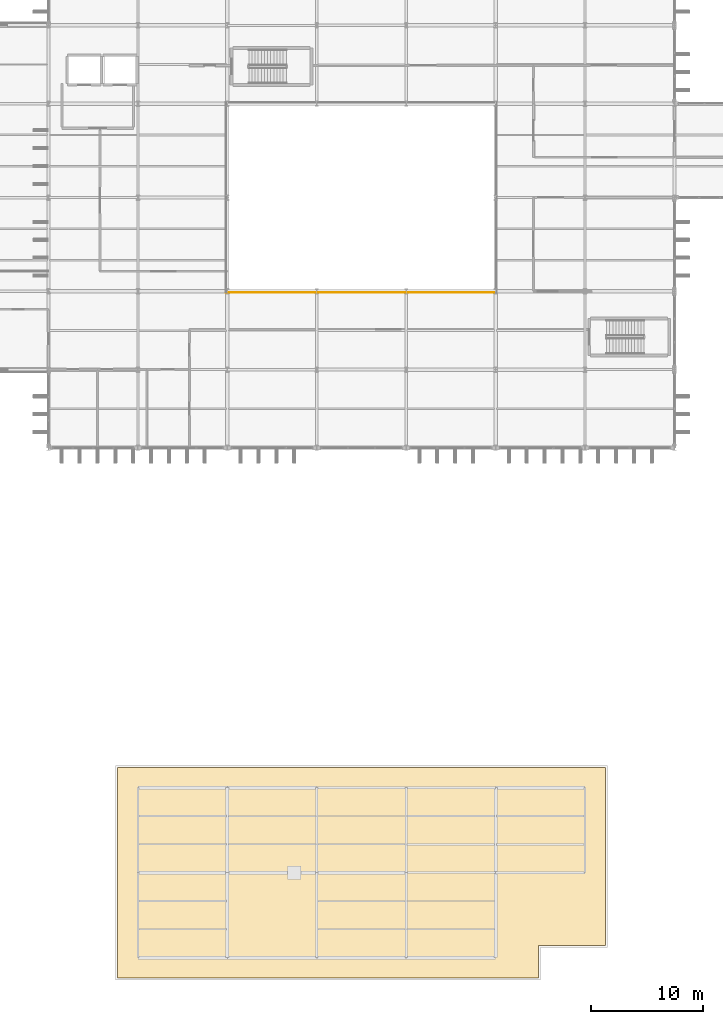
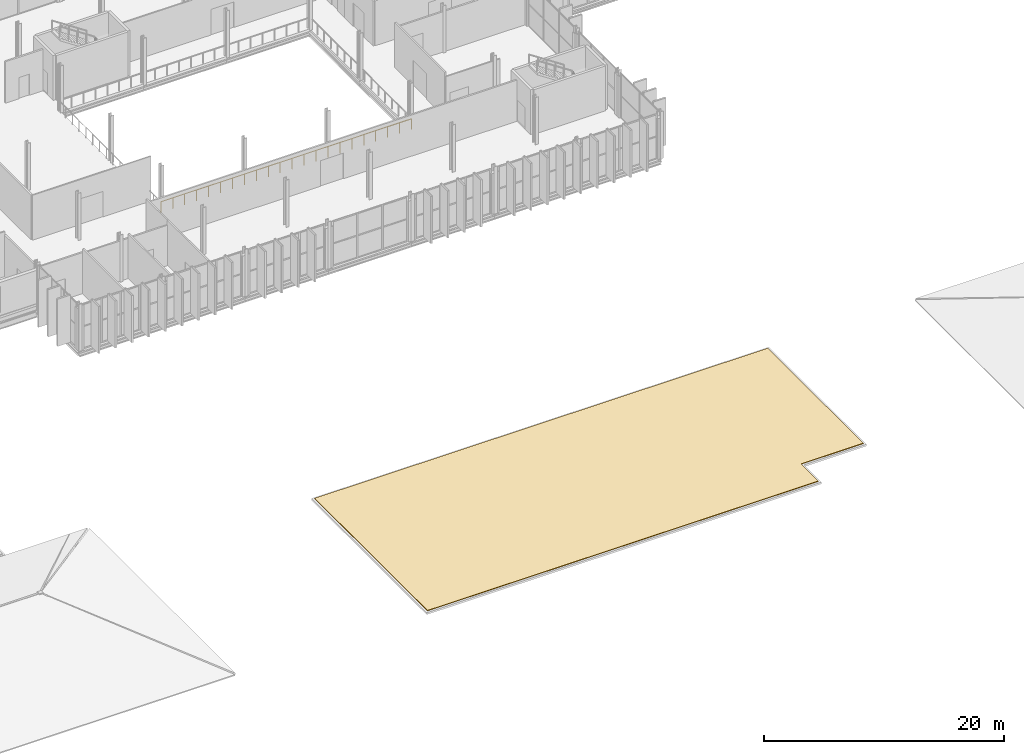
# One storey, part 109 of 120: 1 covering, 1 railing.
"""IFC4 building model written with IfcOpenShell, lengths in metres."""

from ifc_helpers import new_model, si_unit, direction, frame, origin, origin_2d, place, context, subcontext, project, spatial, polyline, circle, outline, extrude, material, layer, layer_set, type_object, element, save


model = new_model("IFC4")

# Units and contexts
model_context = context("Model", 3, precision=1e-05, world=origin(), true_north=direction((0.0, 1.0)))
body_context = subcontext(model_context, "Body", "Model", "MODEL_VIEW")
ifc_project = project(units=[si_unit("LENGTHUNIT", "METRE"), si_unit("AREAUNIT", "SQUARE_METRE"), si_unit("VOLUMEUNIT", "CUBIC_METRE"), si_unit("PLANEANGLEUNIT", "RADIAN"), si_unit("MASSUNIT", "GRAM", prefix="KILO")], contexts=[model_context])

# Site, building, storey
site_placement = place(None, origin())
site = spatial("IfcSite", under=ifc_project, at=site_placement, CompositionType="ELEMENT")
building_placement = place(site_placement, origin())
building = spatial("IfcBuilding", under=site, at=building_placement, Name="Vekula Escarpment Museum", CompositionType="ELEMENT")
storey_placement = place(building_placement, frame((0.0, 0.0, 13.199951171875)))
storey = spatial("IfcBuildingStorey", under=building, at=storey_placement, Name="L03", CompositionType="ELEMENT", Elevation=13.199951171875)

# Covering
ifc_material_1 = material(Name="Standing-seam patinated copper roofing", Category="metal")
ifc_layer = layer(ifc_material_1, 0.06005859375)
ifc_layer_set = layer_set([ifc_layer], Name="Standing-seam patinated copper roofing")
covering_type = type_object("IfcCoveringType", Name="COV-ROOF-COPPER", PredefinedType="ROOFING", material=ifc_layer_set)
covering_placement = place(storey_placement, origin())
element("IfcCovering", 1, at=covering_placement, inside=storey, type_object=covering_type, Name="Overhanging Eave Roof Covering R-L03-V2S", PredefinedType="ROOFING", context=body_context, shape_type="SweptSolid", body=[
    extrude(outline(polyline([(76.179931640625, 17.02001953125), (119.820068359375, 17.02001953125), (119.820068359375, 1.068115234375), (113.820068359375, 1.068115234375), (113.820068359375, -1.820068359375), (76.179931640625, -1.820068359375), (76.179931640625, 17.02001953125)])), origin(), (0.0, 0.0, 1.0), 0.06005859375),
])

# Railing
ifc_material_2 = material(Name="Bronze-coated Steel S355 balustrade", Category="steel")
railing_type = type_object("IfcRailingType", Name="RL-ATR-BAL", PredefinedType="BALUSTRADE", material=ifc_material_2)
railing_placement = place(storey_placement, frame((85.89990234375, 59.5, 0.0)))
element("IfcRailing", 2, at=railing_placement, inside=storey, type_object=railing_type, Name="Central Atrium Balustrade L03 S", PredefinedType="BALUSTRADE", context=body_context, shape_type="SweptSolid", body=[
    extrude(circle(Radius=0.02392578125, at=origin_2d()), frame((0.0, 0.0, 1.076171875), z_axis=(1.0, 0.0, 0.0), x_axis=(0.0, 1.0, 0.0)), (0.0, 0.0, 1.0), 24.14013671875),
    extrude(circle(Radius=0.02099609375, at=origin_2d()), origin(), (0.0, 0.0, 1.0), 1.052001953125),
    extrude(circle(Radius=0.02099609375, at=origin_2d()), frame((1.1494140625, 0.0, 0.0)), (0.0, 0.0, 1.0), 1.052001953125),
    extrude(circle(Radius=0.02099609375, at=origin_2d()), frame((2.299072265625, 0.0, 0.0)), (0.0, 0.0, 1.0), 1.052001953125),
    extrude(circle(Radius=0.02099609375, at=origin_2d()), frame((3.448486328125, 0.0, 0.0)), (0.0, 0.0, 1.0), 1.052001953125),
    extrude(circle(Radius=0.02099609375, at=origin_2d()), frame((4.59814453125, 0.0, 0.0)), (0.0, 0.0, 1.0), 1.052001953125),
    extrude(circle(Radius=0.02099609375, at=origin_2d()), frame((5.74755859375, 0.0, 0.0)), (0.0, 0.0, 1.0), 1.052001953125),
    extrude(circle(Radius=0.02099609375, at=origin_2d()), frame((6.897216796875, 0.0, 0.0)), (0.0, 0.0, 1.0), 1.052001953125),
    extrude(circle(Radius=0.02099609375, at=origin_2d()), frame((8.046630859375, 0.0, 0.0)), (0.0, 0.0, 1.0), 1.052001953125),
    extrude(circle(Radius=0.02099609375, at=origin_2d()), frame((9.1962890625, 0.0, 0.0)), (0.0, 0.0, 1.0), 1.052001953125),
    extrude(circle(Radius=0.02099609375, at=origin_2d()), frame((10.345703125, 0.0, 0.0)), (0.0, 0.0, 1.0), 1.052001953125),
    extrude(circle(Radius=0.02099609375, at=origin_2d()), frame((11.495361328125, 0.0, 0.0)), (0.0, 0.0, 1.0), 1.052001953125),
    extrude(circle(Radius=0.02099609375, at=origin_2d()), frame((12.644775390625, 0.0, 0.0)), (0.0, 0.0, 1.0), 1.052001953125),
    extrude(circle(Radius=0.02099609375, at=origin_2d()), frame((13.79443359375, 0.0, 0.0)), (0.0, 0.0, 1.0), 1.052001953125),
    extrude(circle(Radius=0.02099609375, at=origin_2d()), frame((14.94384765625, 0.0, 0.0)), (0.0, 0.0, 1.0), 1.052001953125),
    extrude(circle(Radius=0.02099609375, at=origin_2d()), frame((16.093505859375, 0.0, 0.0)), (0.0, 0.0, 1.0), 1.052001953125),
    extrude(circle(Radius=0.02099609375, at=origin_2d()), frame((17.242919921875, 0.0, 0.0)), (0.0, 0.0, 1.0), 1.052001953125),
    extrude(circle(Radius=0.02099609375, at=origin_2d()), frame((18.392578125, 0.0, 0.0)), (0.0, 0.0, 1.0), 1.052001953125),
    extrude(circle(Radius=0.02099609375, at=origin_2d()), frame((19.5419921875, 0.0, 0.0)), (0.0, 0.0, 1.0), 1.052001953125),
    extrude(circle(Radius=0.02099609375, at=origin_2d()), frame((20.691650390625, 0.0, 0.0)), (0.0, 0.0, 1.0), 1.052001953125),
    extrude(circle(Radius=0.02099609375, at=origin_2d()), frame((21.841064453125, 0.0, 0.0)), (0.0, 0.0, 1.0), 1.052001953125),
    extrude(circle(Radius=0.02099609375, at=origin_2d()), frame((22.99072265625, 0.0, 0.0)), (0.0, 0.0, 1.0), 1.052001953125),
    extrude(circle(Radius=0.02099609375, at=origin_2d()), frame((24.14013671875, 0.0, 0.0)), (0.0, 0.0, 1.0), 1.052001953125),
])

save(model, "model.ifc")
